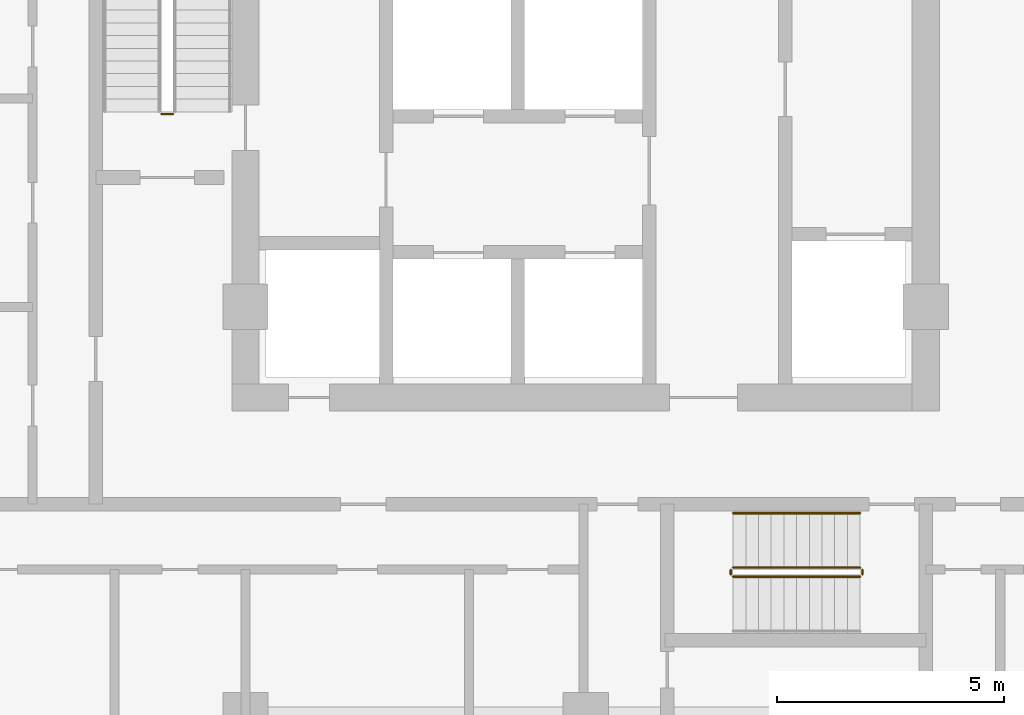
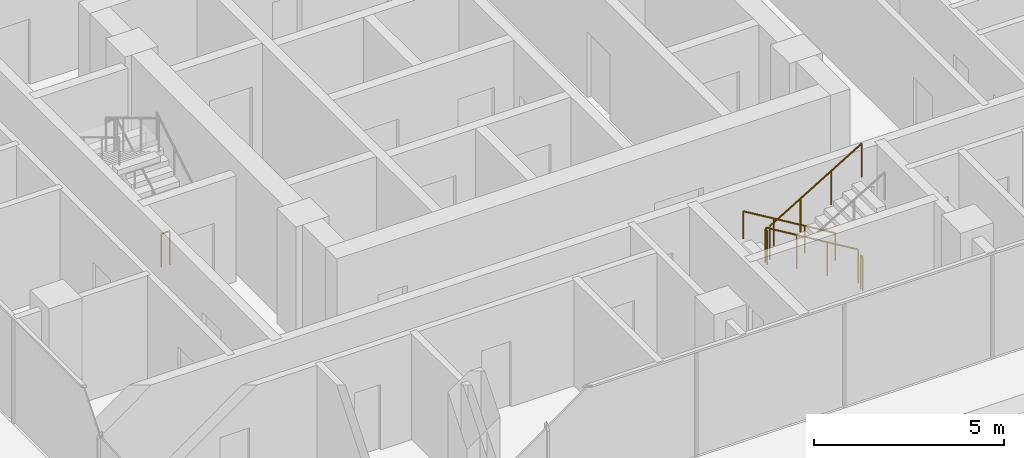
# One storey, part 38 of 39: 6 railings.
"""IFC4 building model written with IfcOpenShell, lengths in metres."""

import ifcopenshell
import ifcopenshell.guid

model = None  # the IFC model being written
_history = None  # IfcOwnerHistory: only IFC2X3 demands one
_inside = {}  # id of a spatial element -> (the spatial element, [elements in it])
_under = {}  # id of a project, library or spatial element -> (it, [spatial elements below it])
_declared = {}  # id of a project -> (the project, [libraries it declares])
_typed = {}  # id of a type object -> (the type object, [elements of that type])
_made_of = {}  # id of a material, layer set ... -> (it, [elements and type objects made of it])


def new_model(schema):
    """Start an empty IFC model of exactly this schema.

    Asked for "IFC4X3", IfcOpenShell would pick the latest addendum, in which some entities
    have other attributes; the version numbers below select the first issue.
    IFC2X3 requires an IfcOwnerHistory on every rooted entity: one is made here for all.
    """
    global model, _history
    if schema == "IFC4X3":
        model = ifcopenshell.file(schema_version=(4, 3, 0, 0))
    else:
        model = ifcopenshell.file(schema=schema)
    _inside.clear()
    _under.clear()
    _declared.clear()
    _typed.clear()
    _made_of.clear()
    _history = None
    if model.schema == "IFC2X3":
        org = make("IfcOrganization", Name="unknown")
        user = make(
            "IfcPersonAndOrganization",
            ThePerson=make("IfcPerson", FamilyName="unknown"),
            TheOrganization=org,
        )
        app = make(
            "IfcApplication",
            ApplicationDeveloper=org,
            Version="unknown",
            ApplicationFullName="unknown",
            ApplicationIdentifier="unknown",
        )
        _history = make(
            "IfcOwnerHistory",
            OwningUser=user,
            OwningApplication=app,
            ChangeAction="ADDED",
            CreationDate=0,
        )
    return model


def make(cls, **values):
    """One entity of the class cls with the attributes given. An attribute that is None is left unset."""
    return model.create_entity(
        cls, **{name: value for name, value in values.items() if value is not None}
    )


def rooted(cls, **values):
    """An entity with a GlobalId (a new one), such as an element, a storey or a relation."""
    return make(cls, GlobalId=ifcopenshell.guid.new(), OwnerHistory=_history, **values)


def si_unit(unit_type, name, prefix=None):
    """IfcSIUnit, for example si_unit("LENGTHUNIT", "METRE", prefix="MILLI")."""
    return make("IfcSIUnit", UnitType=unit_type, Prefix=prefix, Name=name)


def assignment(units):
    """IfcUnitAssignment: the units of a project."""
    return None if units is None else make("IfcUnitAssignment", Units=units)


def point(xyz):
    """IfcCartesianPoint."""
    return None if xyz is None else make("IfcCartesianPoint", Coordinates=xyz)


def direction(xyz):
    """IfcDirection."""
    return None if xyz is None else make("IfcDirection", DirectionRatios=xyz)


def frame(location, z_axis=None, x_axis=None):
    """IfcAxis2Placement3D, a coordinate frame: its origin and axes. An axis left out is left unset."""
    return make(
        "IfcAxis2Placement3D",
        Location=point(location),
        Axis=direction(z_axis),
        RefDirection=direction(x_axis),
    )


def frame_2d(location, x_axis=None):
    """IfcAxis2Placement2D, a coordinate frame in the plane: its origin and x axis."""
    return make(
        "IfcAxis2Placement2D", Location=point(location), RefDirection=direction(x_axis)
    )


def origin():
    """The frame at (0, 0, 0) with its axes left unset."""
    return frame((0.0, 0.0, 0.0))


def origin_2d():
    """The frame at (0, 0) in the plane with its x axis left unset."""
    return frame_2d((0.0, 0.0))


def place(relative_to, where):
    """IfcLocalPlacement: puts the frame where relative to a parent placement (None: the world)."""
    return make(
        "IfcLocalPlacement", PlacementRelTo=relative_to, RelativePlacement=where
    )


def context(
    kind, dimensions, precision=None, world=None, true_north=None, identifier=None
):
    """IfcGeometricRepresentationContext, for example the 3D "Model" context."""
    return make(
        "IfcGeometricRepresentationContext",
        ContextIdentifier=identifier,
        ContextType=kind,
        CoordinateSpaceDimension=dimensions,
        Precision=precision,
        WorldCoordinateSystem=world,
        TrueNorth=true_north,
    )


def subcontext(parent, identifier, kind, view, scale=None):
    """IfcGeometricRepresentationSubContext, for example "Body" below "Model"."""
    return make(
        "IfcGeometricRepresentationSubContext",
        ContextIdentifier=identifier,
        ContextType=kind,
        ParentContext=parent,
        TargetScale=scale,
        TargetView=view,
    )


def project(units=None, contexts=None):
    """IfcProject with its units and contexts."""
    return rooted(
        "IfcProject",
        Name="project",
        RepresentationContexts=contexts,
        UnitsInContext=assignment(units),
    )


def spatial(cls, under=None, at=None, **own):
    """A site, building, storey or space (cls), placed at a placement, below another one or the project."""
    s = rooted(cls, ObjectPlacement=at, **own)
    if under is not None:
        _under.setdefault(under.id(), (under, []))[1].append(s)
    return s


def profile(cls, at=None, kind="AREA", **sizes):
    """A parametric profile (cls). Its sizes go by their IFC names, for example OverallWidth=200.0."""
    return make(cls, ProfileType=kind, Position=at, **sizes)


def circle(**sizes):
    """IfcCircleProfileDef."""
    return profile("IfcCircleProfileDef", **sizes)


def extrude(swept, where, along, depth):
    """IfcExtrudedAreaSolid: the profile swept, set in the frame where, extruded along a direction by depth."""
    return make(
        "IfcExtrudedAreaSolid",
        SweptArea=swept,
        Position=where,
        ExtrudedDirection=direction(along),
        Depth=depth,
    )


def shape(context_of_items, identifier, shape_type, items):
    """IfcShapeRepresentation: the items that make up one representation, for example the "Body"."""
    return make(
        "IfcShapeRepresentation",
        ContextOfItems=context_of_items,
        RepresentationIdentifier=identifier,
        RepresentationType=shape_type,
        Items=items,
    )


def material(Name=None, Category=None):
    """IfcMaterial."""
    return make("IfcMaterial", Name=Name, Category=Category)


def made_of(thing, what):
    """Note that an element or type object is made of a material, layer set ...; save() writes the relation."""
    if what is not None:
        _made_of.setdefault(what.id(), (what, []))[1].append(thing)
    return thing


def type_object(cls, material=None, **own):
    """A type object (cls), such as IfcWallType, which elements share."""
    return made_of(rooted(cls, **own), material)


def element(
    cls,
    number,
    at=None,
    inside=None,
    cuts=None,
    type_object=None,
    material=None,
    context=None,
    identifier="Body",
    shape_type=None,
    held_by="IfcProductDefinitionShape",
    body=None,
    shapes=None,
    **own,
):
    """One element of the class cls, such as IfcWall. Its Tag is "e" and its number.

    at: its placement. inside: the storey or other place that contains it. cuts: it is an
    opening in that element (IfcRelVoidsElement). A single representation is given by context,
    identifier, shape_type and body (its items); several are given by shapes. held_by: the class
    of the entity that holds the representations. save() writes the other relations.
    """
    e = rooted(cls, Tag="e%d" % number, ObjectPlacement=at, **own)
    if body is not None:
        shapes = [shape(context, identifier, shape_type, body)]
    if shapes is not None:
        e.Representation = make(held_by, Representations=shapes)
    if inside is not None:
        _inside.setdefault(inside.id(), (inside, []))[1].append(e)
    if cuts is not None:
        rooted(
            "IfcRelVoidsElement", RelatingBuildingElement=cuts, RelatedOpeningElement=e
        )
    if type_object is not None:
        _typed.setdefault(type_object.id(), (type_object, []))[1].append(e)
    return made_of(e, material)


def aggregate(whole, parts):
    """IfcRelAggregates: a whole, such as a stair, and the parts it consists of."""
    return rooted("IfcRelAggregates", RelatingObject=whole, RelatedObjects=parts)


def save(model, path):
    """Write the relations noted so far, then the file.

    IfcRelAggregates (storeys below a building ...), IfcRelContainedInSpatialStructure (elements
    in a storey), IfcRelDefinesByType, IfcRelAssociatesMaterial and IfcRelDeclares: one each for
    every whole, place, type object, material and project.
    """
    for whole, parts in _under.values():
        aggregate(whole, parts)
    for where, things in _inside.values():
        rooted(
            "IfcRelContainedInSpatialStructure",
            RelatedElements=things,
            RelatingStructure=where,
        )
    for kind, things in _typed.values():
        rooted("IfcRelDefinesByType", RelatedObjects=things, RelatingType=kind)
    for what, things in _made_of.values():
        rooted("IfcRelAssociatesMaterial", RelatedObjects=things, RelatingMaterial=what)
    for by, libraries in _declared.values():
        rooted("IfcRelDeclares", RelatingContext=by, RelatedDefinitions=libraries)
    model.write(path)


model = new_model("IFC4")

# Units and contexts
model_context = context("Model", 3, precision=1e-05, world=origin(), true_north=direction((0.0, 1.0)))
body_context = subcontext(model_context, "Body", "Model", "MODEL_VIEW")
ifc_project = project(units=[si_unit("LENGTHUNIT", "METRE"), si_unit("AREAUNIT", "SQUARE_METRE"), si_unit("VOLUMEUNIT", "CUBIC_METRE"), si_unit("PLANEANGLEUNIT", "RADIAN"), si_unit("MASSUNIT", "GRAM", prefix="KILO")], contexts=[model_context])

# Site, building, storey
site_placement = place(None, origin())
site = spatial("IfcSite", under=ifc_project, at=site_placement, CompositionType="ELEMENT")
building_placement = place(site_placement, origin())
building = spatial("IfcBuilding", under=site, at=building_placement, Name="Ogive Portal Towers", CompositionType="ELEMENT")
storey_placement = place(building_placement, frame((0.0, 0.0, 44.60009765625)))
storey = spatial("IfcBuildingStorey", under=building, at=storey_placement, Name="L09", CompositionType="ELEMENT", Elevation=44.60009765625)

# Railings
ifc_material_1 = material(Name="Stainless steel balustrade", Category="steel")
railing_type_1 = type_object("IfcRailingType", Name="INT-GUARD", PredefinedType="GUARDRAIL", material=ifc_material_1)
railing_1_placement = place(storey_placement, frame((127.39990234375, 30.75, 0.0)))
element("IfcRailing", 1, at=railing_1_placement, inside=storey, type_object=railing_type_1, Name="L09 ST-B1 stair guard 4", PredefinedType="GUARDRAIL", context=body_context, shape_type="SweptSolid", body=[
    extrude(circle(Radius=0.02392578125, at=origin_2d()), frame((0.0, 0.0, 1.076171875), z_axis=(-1.0, 0.0, 0.0), x_axis=(0.0, -1.0, 0.0)), (0.0, 0.0, 1.0), 0.25),
    extrude(circle(Radius=0.02099609375, at=origin_2d()), origin(), (0.0, 0.0, 1.0), 1.052001953125),
    extrude(circle(Radius=0.02099609375, at=origin_2d()), frame((-0.25, 0.0, 0.0)), (0.0, 0.0, 1.0), 1.052001953125),
])
railing_2_placement = place(storey_placement, frame((142.550048828125, 20.75, 0.16796875)))
element("IfcRailing", 2, at=railing_2_placement, inside=storey, type_object=railing_type_1, Name="L09 ST-B2 stair guard 1", PredefinedType="GUARDRAIL", context=body_context, shape_type="SweptSolid", body=[
    extrude(circle(Radius=0.02392578125, at=origin_2d()), frame((0.0, 0.0, 1.076171875), z_axis=(-0.857242210791, 0.0, 0.514913383045), x_axis=(0.0, -1.0, 0.0)), (0.0, 0.0, 1.0), 3.266357421875),
    extrude(circle(Radius=0.02099609375, at=origin_2d()), origin(), (0.0, 0.0, 1.0), 1.052001953125),
    extrude(circle(Radius=0.02099609375, at=origin_2d()), frame((-0.933349609375, 0.0, 0.560546875)), (0.0, 0.0, 1.0), 1.052001953125),
    extrude(circle(Radius=0.02099609375, at=origin_2d()), frame((-1.86669921875, 0.0, 1.121337890625)), (0.0, 0.0, 1.0), 1.052001953125),
    extrude(circle(Radius=0.02099609375, at=origin_2d()), frame((-2.800048828125, 0.0, 1.681884765625)), (0.0, 0.0, 1.0), 1.052001953125),
])
railing_3_placement = place(storey_placement, frame((139.699951171875, 20.699951171875, 1.849853515625)))
element("IfcRailing", 3, at=railing_3_placement, inside=storey, type_object=railing_type_1, Name="L09 ST-B2 stair guard 2", PredefinedType="GUARDRAIL", context=body_context, shape_type="SweptSolid", body=[
    extrude(circle(Radius=0.02392578125, at=origin_2d()), frame((0.0, 0.0, 1.076171875), z_axis=(0.0, -1.0, 0.0), x_axis=(1.0, 0.0, 0.0)), (0.0, 0.0, 1.0), 0.099853515625),
    extrude(circle(Radius=0.02099609375, at=origin_2d()), origin(), (0.0, 0.0, 1.0), 1.052001953125),
    extrude(circle(Radius=0.02099609375, at=origin_2d()), frame((0.0, -0.099853515625, 0.0)), (0.0, 0.0, 1.0), 1.052001953125),
])
railing_4_placement = place(storey_placement, frame((139.75, 20.550048828125, 2.01806640625)))
element("IfcRailing", 4, at=railing_4_placement, inside=storey, type_object=railing_type_1, Name="L09 ST-B2 stair guard 3", PredefinedType="GUARDRAIL", context=body_context, shape_type="SweptSolid", body=[
    extrude(circle(Radius=0.02392578125, at=origin_2d()), frame((0.0, 0.0, 1.076171875), z_axis=(0.857242210791, 0.0, 0.514913383045), x_axis=(0.0, 1.0, 0.0)), (0.0, 0.0, 1.0), 3.266357421875),
    extrude(circle(Radius=0.02099609375, at=origin_2d()), origin(), (0.0, 0.0, 1.0), 1.052001953125),
    extrude(circle(Radius=0.02099609375, at=origin_2d()), frame((0.933349609375, 0.0, 0.560546875)), (0.0, 0.0, 1.0), 1.052001953125),
    extrude(circle(Radius=0.02099609375, at=origin_2d()), frame((1.86669921875, 0.0, 1.121337890625)), (0.0, 0.0, 1.0), 1.052001953125),
    extrude(circle(Radius=0.02099609375, at=origin_2d()), frame((2.800048828125, 0.0, 1.681884765625)), (0.0, 0.0, 1.0), 1.052001953125),
])
railing_5_placement = place(storey_placement, frame((142.60009765625, 20.699951171875, 0.0)))
element("IfcRailing", 5, at=railing_5_placement, inside=storey, type_object=railing_type_1, Name="L09 ST-B2 stair guard 4", PredefinedType="GUARDRAIL", context=body_context, shape_type="SweptSolid", body=[
    extrude(circle(Radius=0.02392578125, at=origin_2d()), frame((0.0, 0.0, 1.076171875), z_axis=(0.0, -1.0, 0.0), x_axis=(1.0, 0.0, 0.0)), (0.0, 0.0, 1.0), 0.099853515625),
    extrude(circle(Radius=0.02099609375, at=origin_2d()), origin(), (0.0, 0.0, 1.0), 1.052001953125),
    extrude(circle(Radius=0.02099609375, at=origin_2d()), frame((0.0, -0.099853515625, 0.0)), (0.0, 0.0, 1.0), 1.052001953125),
])
ifc_material_2 = material(Name="Stainless steel handrail", Category="steel")
railing_type_2 = type_object("IfcRailingType", Name="INT-HANDRAIL", PredefinedType="HANDRAIL", material=ifc_material_2)
railing_6_placement = place(storey_placement, frame((142.550048828125, 21.949951171875, 0.16796875)))
element("IfcRailing", 6, at=railing_6_placement, inside=storey, type_object=railing_type_2, Name="L09 ST-B2 stair handrail 1", PredefinedType="HANDRAIL", context=body_context, shape_type="SweptSolid", body=[
    extrude(circle(Radius=0.02392578125, at=origin_2d()), frame((0.0, 0.0, 0.8759765625), z_axis=(-0.857242210791, 0.0, 0.514913383045), x_axis=(0.0, -1.0, 0.0)), (0.0, 0.0, 1.0), 3.266357421875),
    extrude(circle(Radius=0.02099609375, at=origin_2d()), origin(), (0.0, 0.0, 1.0), 0.851806640625),
    extrude(circle(Radius=0.02099609375, at=origin_2d()), frame((-0.933349609375, 0.0, 0.560546875)), (0.0, 0.0, 1.0), 0.851806640625),
    extrude(circle(Radius=0.02099609375, at=origin_2d()), frame((-1.86669921875, 0.0, 1.121337890625)), (0.0, 0.0, 1.0), 0.851806640625),
    extrude(circle(Radius=0.02099609375, at=origin_2d()), frame((-2.800048828125, 0.0, 1.681884765625)), (0.0, 0.0, 1.0), 0.851806640625),
])

save(model, "model.ifc")
